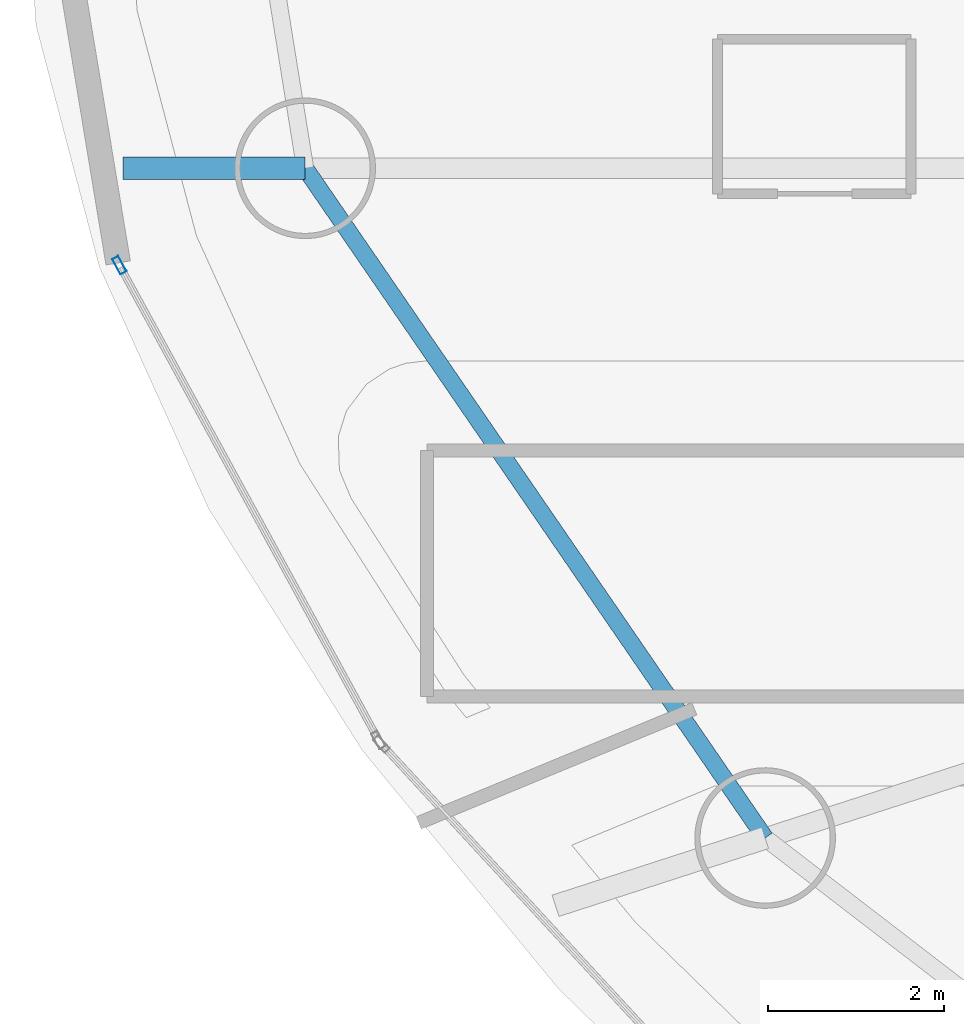
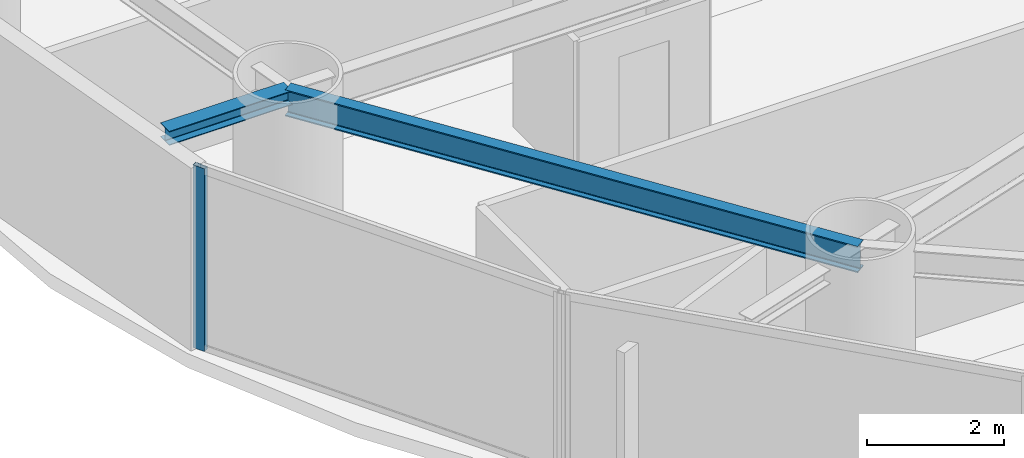
# One storey, part 4 of 27: 2 beams, 1 member, 1 element without a shape of its own.
"""IFC4 building model written with IfcOpenShell, lengths in metres."""

from ifc_helpers import new_model, si_unit, direction, frame, origin, origin_2d, place, context, subcontext, project, spatial, hollow_rectangle, i_section, extrude, material, layer, layer_set, material_profile, profile_set, type_object, element, aggregate, save


model = new_model("IFC4")

# Units and contexts
model_context = context("Model", 3, precision=1e-05, world=origin(), true_north=direction((0.0, 1.0)))
body_context = subcontext(model_context, "Body", "Model", "MODEL_VIEW")
ifc_project = project(units=[si_unit("LENGTHUNIT", "METRE"), si_unit("AREAUNIT", "SQUARE_METRE"), si_unit("VOLUMEUNIT", "CUBIC_METRE"), si_unit("PLANEANGLEUNIT", "RADIAN"), si_unit("MASSUNIT", "GRAM", prefix="KILO")], contexts=[model_context])

# Site, building, storey
site_placement = place(None, origin())
site = spatial("IfcSite", under=ifc_project, at=site_placement, CompositionType="ELEMENT")
building_placement = place(site_placement, origin())
building = spatial("IfcBuilding", under=site, at=building_placement, Name="Bramvorn Convention Spire", CompositionType="ELEMENT")
storey_placement = place(building_placement, frame((0.0, 0.0, 44.89990234375)))
storey = spatial("IfcBuildingStorey", under=building, at=storey_placement, Name="L08", CompositionType="ELEMENT", Elevation=44.89990234375)

# Beams
ifc_material_1 = material(Name="Steel CSA G40.21 Grade 350 (350W)", Category="steel")
ifc_material_profile_1 = material_profile(ifc_material_1, i_section(OverallWidth=0.25390625, OverallDepth=0.2529296875, WebThickness=0.008544921875, FlangeThickness=0.01416015625, FilletRadius=0.011962890625, at=origin_2d()))
ifc_profile_set_1 = profile_set([ifc_material_profile_1], Name="Steel CSA G40.21 Grade 350 (350W) - W250X73")
beam_type_1 = type_object("IfcBeamType", Name="BM-W250X73", PredefinedType="BEAM", material=ifc_profile_set_1)
beam_1_placement = place(storey_placement, frame((10.661376953125, 22.659912109375, 3.12353515625), z_axis=(-1.0, 0.0, 0.0), x_axis=(0.0, -1.0, 0.0)))
element("IfcBeam", 1, at=beam_1_placement, inside=storey, type_object=beam_type_1, Name="L08 slab-edge cantilever tip beam MC10", PredefinedType="BEAM", context=body_context, shape_type="SweptSolid", body=[
    extrude(i_section(OverallWidth=0.25390625, OverallDepth=0.2529296875, WebThickness=0.008544921875, FlangeThickness=0.01416015625, FilletRadius=0.011962890625, at=origin_2d()), origin(), (0.0, 0.0, 1.0), 2.070068359375),
])
ifc_material_profile_2 = material_profile(ifc_material_1, i_section(OverallWidth=0.194091796875, OverallDepth=0.468994140625, WebThickness=0.0126953125, FlangeThickness=0.0205078125, FilletRadius=0.01806640625, at=origin_2d()))
ifc_profile_set_2 = profile_set([ifc_material_profile_2], Name="Steel CSA G40.21 Grade 350 (350W) - W460X106")
beam_type_2 = type_object("IfcBeamType", Name="BM-W460X106", PredefinedType="SPANDREL", material=ifc_profile_set_2)
beam_2_placement = place(storey_placement, frame((10.661376953125, 22.659912109375, 3.015625), z_axis=(0.566129730789, -0.824316157743, 0.0), x_axis=(0.824316157743, 0.566129730789, 0.0)))
element("IfcBeam", 2, at=beam_2_placement, inside=storey, type_object=beam_type_2, Name="L08 mega-column ring beam 10", PredefinedType="SPANDREL", context=body_context, shape_type="SweptSolid", body=[
    extrude(i_section(OverallWidth=0.194091796875, OverallDepth=0.468994140625, WebThickness=0.0126953125, FlangeThickness=0.0205078125, FilletRadius=0.01806640625, at=origin_2d()), origin(), (0.0, 0.0, 1.0), 9.244140625),
])

# Curtain wall, member
ifc_material_2 = material(Name="Anodised Bronze Unitised Curtain Wall", Category="aluminium")
ifc_layer = layer(ifc_material_2, 0.179931640625)
ifc_layer_set = layer_set([ifc_layer], Name="Anodised Bronze Unitised Curtain Wall - CW-HTL-FRIT")
curtain_wall_type = type_object("IfcCurtainWallType", Name="CW-HTL-FRIT", PredefinedType="USERDEFINED", material=ifc_layer_set)
curtain_wall_placement = place(storey_placement, origin())
curtain_wall = element("IfcCurtainWall", 3, at=curtain_wall_placement, inside=storey, type_object=curtain_wall_type, Name="L08 fritted glass curtain wall 14", ObjectType="UNITISED CURTAIN WALL", PredefinedType="USERDEFINED")
ifc_material_3 = material(Name="Anodised Bronze Aluminium 6063-T6", Category="aluminium")
ifc_material_profile_3 = material_profile(ifc_material_3, hollow_rectangle(XDim=0.080078125, YDim=0.199951171875, WallThickness=0.00390625, InnerFilletRadius=0.0009765625, OuterFilletRadius=0.00390625, at=origin_2d()))
ifc_profile_set_3 = profile_set([ifc_material_profile_3], Name="Anodised Bronze Aluminium 6063-T6 - CWM80X200")
member_type = type_object("IfcMemberType", Name="CW-MUL-180", PredefinedType="MULLION", material=ifc_profile_set_3)
member_placement = place(storey_placement, frame((8.5478515625, 21.55712890625, 0.0), z_axis=(0.0, 0.0, 1.0), x_axis=(-0.877805123301, -0.479017917731, 0.0)))
member = element("IfcMember", 4, at=member_placement, type_object=member_type, Name="CW2 mullion 2", PredefinedType="MULLION", context=body_context, shape_type="SweptSolid", body=[
    extrude(hollow_rectangle(XDim=0.080078125, YDim=0.199951171875, WallThickness=0.00390625, InnerFilletRadius=0.0009765625, OuterFilletRadius=0.00390625, at=origin_2d()), origin(), (0.0, 0.0, 1.0), 3.25),
])
aggregate(curtain_wall, [member])

save(model, "model.ifc")
